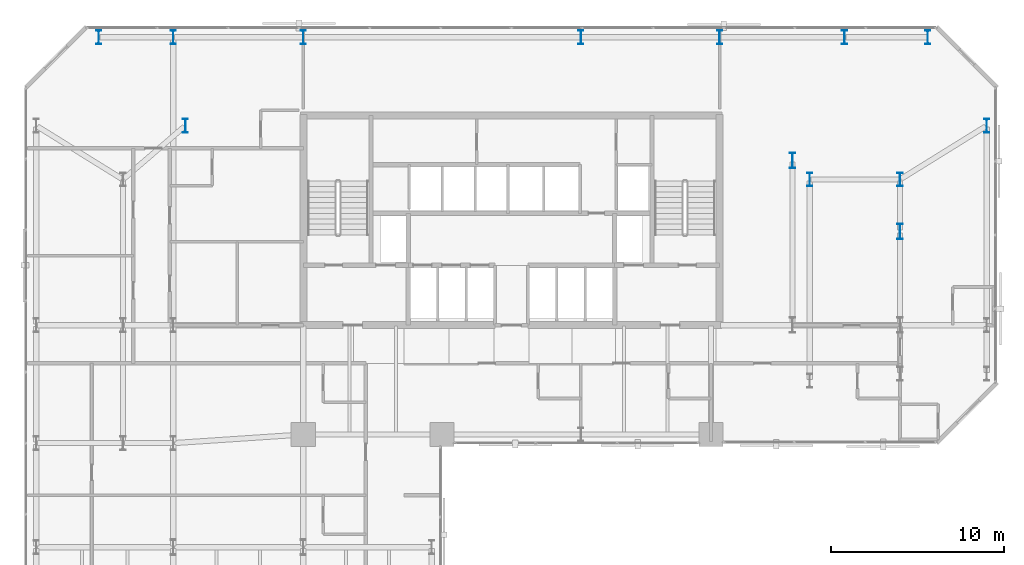
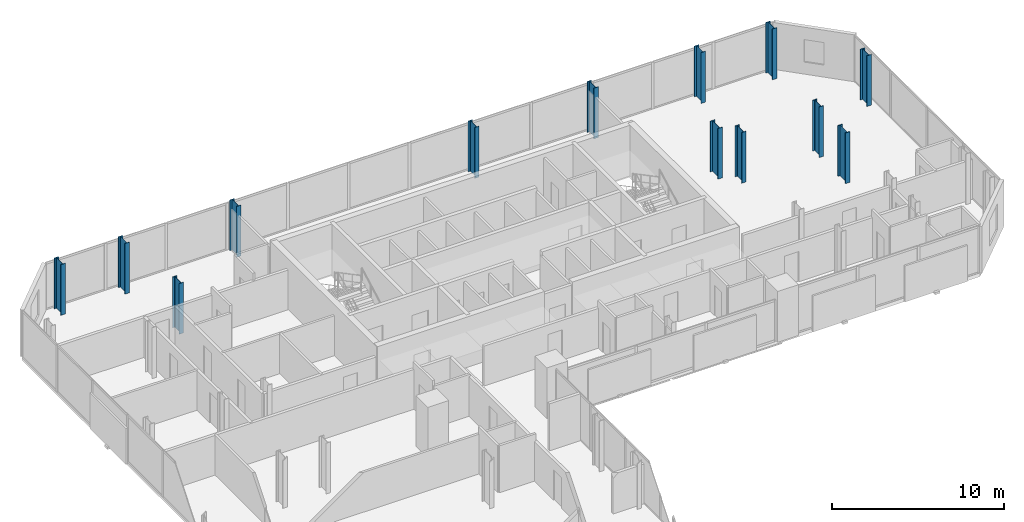
# One storey, part 2 of 33: 13 columns.
"""IFC4 building model written with IfcOpenShell, lengths in metres."""

from ifc_helpers import new_model, si_unit, direction, frame, origin, origin_2d, place, context, subcontext, project, spatial, i_section, extrude, material, material_profile, profile_set, type_object, element, save


model = new_model("IFC4")

# Units and contexts
model_context = context("Model", 3, precision=1e-05, world=origin(), true_north=direction((0.0, 1.0)))
body_context = subcontext(model_context, "Body", "Model", "MODEL_VIEW")
ifc_project = project(units=[si_unit("LENGTHUNIT", "METRE"), si_unit("AREAUNIT", "SQUARE_METRE"), si_unit("VOLUMEUNIT", "CUBIC_METRE"), si_unit("PLANEANGLEUNIT", "RADIAN"), si_unit("MASSUNIT", "GRAM", prefix="KILO")], contexts=[model_context])

# Site, building, storey
site_placement = place(None, origin())
site = spatial("IfcSite", under=ifc_project, at=site_placement, CompositionType="ELEMENT")
building_placement = place(site_placement, origin())
building = spatial("IfcBuilding", under=site, at=building_placement, Name="Catumbela Crestline Tower", CompositionType="ELEMENT")
storey_placement = place(building_placement, frame((0.0, 0.0, 54.6)))
storey = spatial("IfcBuildingStorey", under=building, at=storey_placement, Name="L13", CompositionType="ELEMENT", Elevation=54.6)

# Columns
ifc_material = material(Name="Structural steel S460M", Category="steel")
ifc_material_profile_1 = material_profile(ifc_material, i_section(OverallWidth=0.3, OverallDepth=0.8, WebThickness=0.0175, FlangeThickness=0.033, FilletRadius=0.03, at=origin_2d()), Name="HEB 800")
ifc_profile_set_1 = profile_set([ifc_material_profile_1], Name="Structural steel S460M")
column_type_1 = type_object("IfcColumnType", Name="C-ST-HEB800", PredefinedType="COLUMN", material=ifc_profile_set_1)
for number, where, z_axis, x_axis, name in (
    (1, (9.2, 42.3, 0.0), (0.0, 0.0, 1.0), (1.0, 0.0, 0.0), "L13 Column C-08-43 (HEB 800)"),
    (2, (45.2, 39.2, 0.0), (0.0, 0.0, 1.0), (1.0, 0.0, 0.0), "L13 Column C-46-43 (HEB 800)"),
    (3, (4.2, 47.4, 0.0), (0.0, 0.0, 1.0), (1.0, 0.0, 0.0), "L13 Column C-00-48 (HEB 800)"),
    (4, (8.5, 47.4, 0.0), (0.0, 0.0, 1.0), (1.0, 0.0, 0.0), "L13 Column C-08-48 (HEB 800)"),
    (5, (16.0, 47.4, 0.0), (0.0, 0.0, 1.0), (1.0, 0.0, 0.0), "L13 Column C-16-48 (HEB 800)"),
    (6, (32.0, 47.4, 0.0), (0.0, 0.0, 1.0), (1.0, 0.0, 0.0), "L13 Column C-32-48 (HEB 800)"),
    (7, (40.0, 47.4, 0.0), (0.0, 0.0, 1.0), (1.0, 0.0, 0.0), "L13 Column C-40-48 (HEB 800)"),
    (8, (47.2, 47.4, 0.0), (0.0, 0.0, 1.0), (1.0, 0.0, 0.0), "L13 Column C-48-48 (HEB 800)"),
    (9, (50.4, 39.2, 0.0), (0.0, 0.0, 1.0), (1.0, 0.0, 0.0), "L13 Column C-51-43 (HEB 800)"),
    (10, (55.4, 42.3, 0.0), (0.0, 0.0, 1.0), (1.0, 0.0, 0.0), "L13 Column C-56-43 (HEB 800)"),
    (11, (52.0, 47.4, 0.0), (0.0, 0.0, 1.0), (1.0, 0.0, 0.0), "L13 Column C-56-48 (HEB 800)"),
):
    element("IfcColumn", number, at=place(storey_placement, frame(where, z_axis=z_axis, x_axis=x_axis)), inside=storey, type_object=column_type_1, Name=name, PredefinedType="COLUMN", context=body_context, shape_type="SweptSolid", body=[
        extrude(i_section(OverallWidth=0.3, OverallDepth=0.8, WebThickness=0.0175, FlangeThickness=0.033, FilletRadius=0.03, at=origin_2d()), origin(), (0.0, 0.0, 1.0), 3.6),
    ])
ifc_material_profile_2 = material_profile(ifc_material, i_section(OverallWidth=0.3, OverallDepth=0.9, WebThickness=0.0185, FlangeThickness=0.035, FilletRadius=0.03, at=origin_2d()), Name="HEB 900")
ifc_profile_set_2 = profile_set([ifc_material_profile_2], Name="Structural steel S460M")
column_type_2 = type_object("IfcColumnType", Name="C-ST-HEB900", PredefinedType="COLUMN", material=ifc_profile_set_2)
for number, where, z_axis, x_axis, name in (
    (12, (44.2, 40.3, 0.0), (0.0, 0.0, 1.0), (1.0, 0.0, 0.0), "L13 Column CT-46-37 (HEB 900)"),
    (13, (50.4, 36.2, 0.0), (0.0, 0.0, 1.0), (1.0, 0.0, 0.0), "L13 Column CT-51-37 (HEB 900)"),
):
    element("IfcColumn", number, at=place(storey_placement, frame(where, z_axis=z_axis, x_axis=x_axis)), inside=storey, type_object=column_type_2, Name=name, PredefinedType="COLUMN", context=body_context, shape_type="SweptSolid", body=[
        extrude(i_section(OverallWidth=0.3, OverallDepth=0.9, WebThickness=0.0185, FlangeThickness=0.035, FilletRadius=0.03, at=origin_2d()), origin(), (0.0, 0.0, 1.0), 3.6),
    ])

save(model, "model.ifc")
